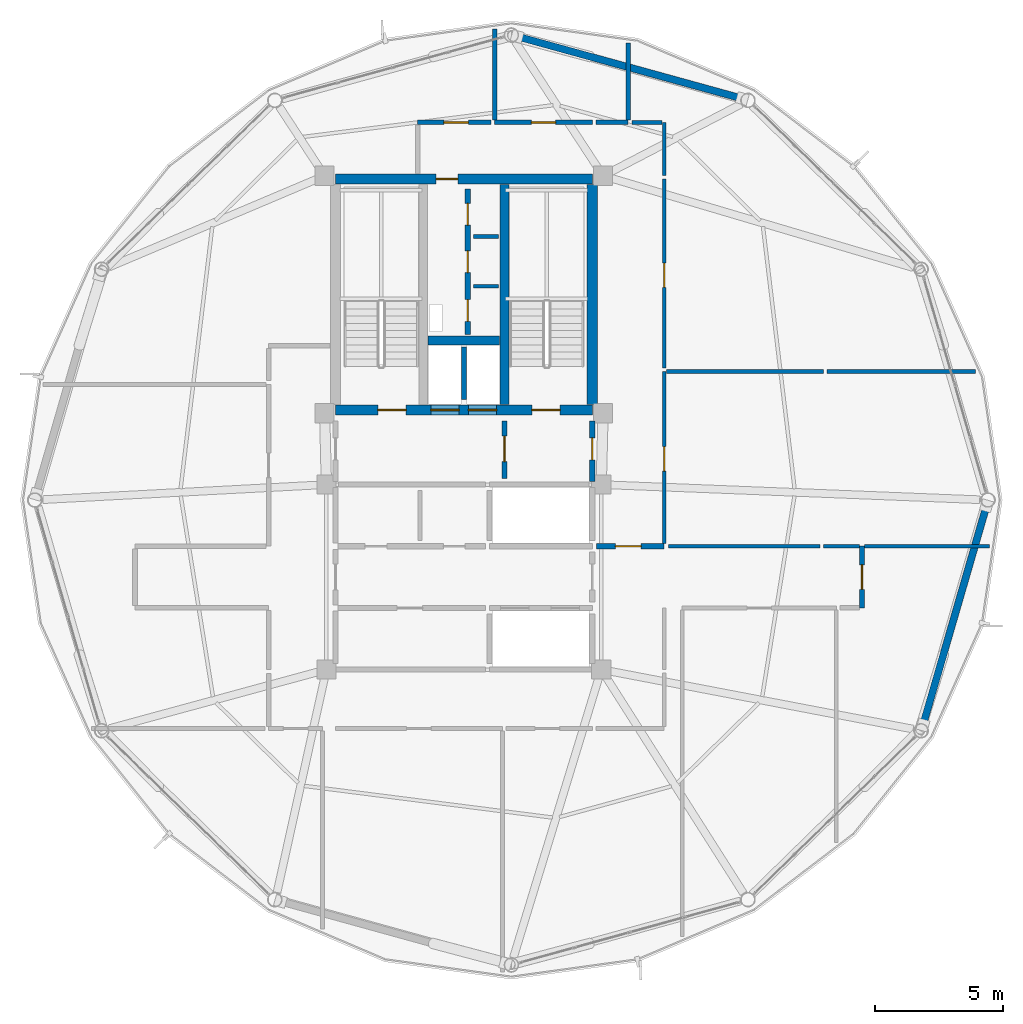
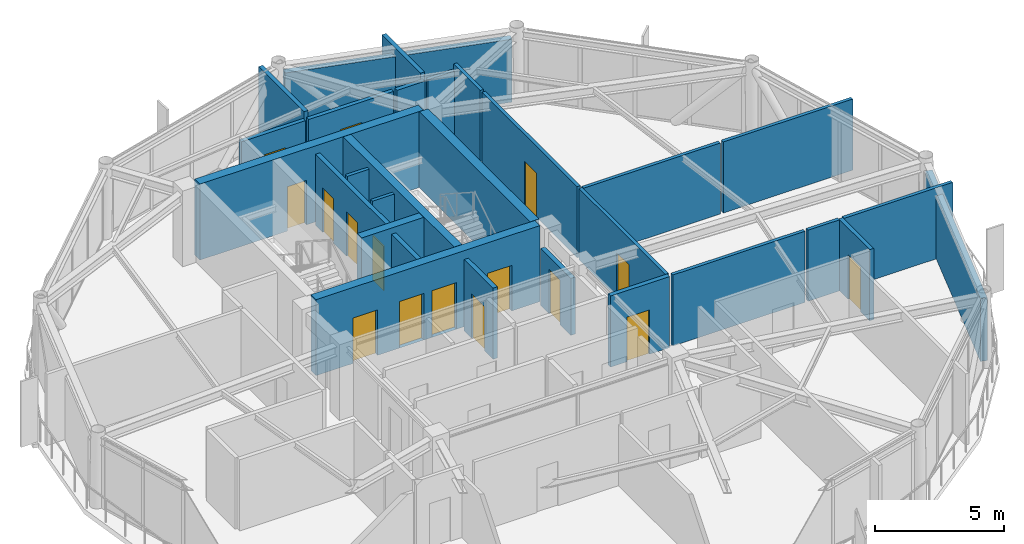
# One storey, part 23 of 27: 29 walls, 16 doors, 16 openings.
"""IFC4 building model written with IfcOpenShell, lengths in metres."""

from ifc_helpers import new_model, si_unit, direction, frame, frame_2d, origin, place, context, subcontext, project, spatial, rectangle, extrude, material, layer, layer_set, type_object, element, fill, save


model = new_model("IFC4")

# Units and contexts
model_context = context("Model", 3, precision=1e-05, world=origin(), true_north=direction((0.0, 1.0)))
body_context = subcontext(model_context, "Body", "Model", "MODEL_VIEW")
ifc_project = project(units=[si_unit("LENGTHUNIT", "METRE"), si_unit("AREAUNIT", "SQUARE_METRE"), si_unit("VOLUMEUNIT", "CUBIC_METRE"), si_unit("PLANEANGLEUNIT", "RADIAN"), si_unit("MASSUNIT", "GRAM", prefix="KILO")], contexts=[model_context])

# Site, building, storey
site_placement = place(None, origin())
site = spatial("IfcSite", under=ifc_project, at=site_placement, CompositionType="ELEMENT")
building_placement = place(site_placement, origin())
building = spatial("IfcBuilding", under=site, at=building_placement, Name="Varnakorn Sky Granary", CompositionType="ELEMENT")
storey_placement = place(building_placement, frame((0.0, 0.0, 245.39990234375)))
storey = spatial("IfcBuildingStorey", under=building, at=storey_placement, Name="L62", CompositionType="ELEMENT", Elevation=245.39990234375)

# Walls
ifc_material_1 = material(Name="Concrete C50/60", Category="concrete")
ifc_layer_1 = layer(ifc_material_1, 0.35009765625, Name="Concrete C50/60")
ifc_layer_set_1 = layer_set([ifc_layer_1], Name="Concrete C50/60")
wall_type_1 = type_object("IfcWallType", Name="WT-CW-INT-350", PredefinedType="SHEAR", material=ifc_layer_set_1)
wall_1_placement = place(storey_placement, frame((4.580078125, 3.7099609375, 0.0), z_axis=(0.0, 0.0, 1.0), x_axis=(0.0, 1.0, 0.0)))
element("IfcWall", 1, at=wall_1_placement, inside=storey, type_object=wall_type_1, Name="Stair ST-2 Core Wall L62", PredefinedType="SHEAR", context=body_context, shape_type="SweptSolid", body=[
    extrude(rectangle(XDim=8.580078125, YDim=0.35009765625, at=frame_2d((4.2900390625, 0.0))), origin(), (0.0, 0.0, 1.0), 3.592041015625),
])
wall_2_placement = place(storey_placement, frame((1.610107421875, 6.199951171875, 0.0), z_axis=(0.0, 0.0, 1.0), x_axis=(1.0, 0.0, 0.0)))
element("IfcWall", 2, at=wall_2_placement, inside=storey, type_object=wall_type_1, Name="Core Lift Shaft Cross Wall L62", PredefinedType="SHEAR", context=body_context, shape_type="SweptSolid", body=[
    extrude(rectangle(XDim=2.77978515625, YDim=0.35009765625, at=frame_2d((1.389892578125, 0.0))), origin(), (0.0, 0.0, 1.0), 3.592041015625),
])

# Wall, openings, doors
ifc_layer_2 = layer(ifc_material_1, 0.39990234375, Name="Concrete C50/60")
ifc_layer_set_2 = layer_set([ifc_layer_2], Name="Concrete C50/60")
wall_type_2 = type_object("IfcWallType", Name="WT-CW-SHEAR-400", PredefinedType="SHEAR", material=ifc_layer_set_2)
wall_3_placement = place(storey_placement, frame((-2.0, 3.5, 0.0), z_axis=(0.0, 0.0, 1.0), x_axis=(1.0, 0.0, 0.0)))
wall_3 = element("IfcWall", 3, at=wall_3_placement, inside=storey, type_object=wall_type_2, Name="Core South Shear Wall L62", PredefinedType="SHEAR", context=body_context, shape_type="SweptSolid", body=[
    extrude(rectangle(XDim=10.0, YDim=0.39990234375, at=frame_2d((5.0, 0.0))), origin(), (0.0, 0.0, 1.0), 3.592041015625),
])
opening_1_placement = place(wall_3_placement, frame((1.64990234375, 0.0, 0.0)))
opening_1 = element("IfcOpeningElement", 4, at=opening_1_placement, cuts=wall_3, Name="Opening FD-90", PredefinedType="OPENING", context=body_context, shape_type="SweptSolid", body=[
    extrude(rectangle(XDim=1.10009765625, YDim=2.14990234375, at=frame_2d((0.550048828125, 1.074951171875))), frame((0.0, 0.2099609375, 0.0), z_axis=(0.0, -1.0, 0.0), x_axis=(1.0, 0.0, 0.0)), (0.0, 0.0, 1.0), 0.419921875),
])
opening_2_placement = place(wall_3_placement, frame((7.64990234375, 0.0, 0.0)))
opening_2 = element("IfcOpeningElement", 5, at=opening_2_placement, cuts=wall_3, Name="Opening FD-90", PredefinedType="OPENING", context=body_context, shape_type="SweptSolid", body=[
    extrude(rectangle(XDim=1.10009765625, YDim=2.14990234375, at=frame_2d((0.550048828125, 1.074951171875))), frame((0.0, 0.2099609375, 0.0), z_axis=(0.0, -1.0, 0.0), x_axis=(1.0, 0.0, 0.0)), (0.0, 0.0, 1.0), 0.419921875),
])
opening_3_placement = place(wall_3_placement, frame((3.719970703125, 0.0, 0.0)))
opening_3 = element("IfcOpeningElement", 6, at=opening_3_placement, cuts=wall_3, Name="Opening LD-01", PredefinedType="OPENING", context=body_context, shape_type="SweptSolid", body=[
    extrude(rectangle(XDim=1.10009765625, YDim=2.199951171875, at=frame_2d((0.550048828125, 1.10009765625))), frame((0.0, 0.2099609375, 0.0), z_axis=(0.0, -1.0, 0.0), x_axis=(1.0, 0.0, 0.0)), (0.0, 0.0, 1.0), 0.419921875),
])
opening_4_placement = place(wall_3_placement, frame((5.179931640625, 0.0, 0.0)))
opening_4 = element("IfcOpeningElement", 7, at=opening_4_placement, cuts=wall_3, Name="Opening LD-01", PredefinedType="OPENING", context=body_context, shape_type="SweptSolid", body=[
    extrude(rectangle(XDim=1.10009765625, YDim=2.199951171875, at=frame_2d((0.550048828125, 1.10009765625))), frame((0.0, 0.2099609375, 0.0), z_axis=(0.0, -1.0, 0.0), x_axis=(1.0, 0.0, 0.0)), (0.0, 0.0, 1.0), 0.419921875),
])
ifc_material_2 = material(Name="Brushed Bronze Stainless Steel", Category="steel")
door_type_1 = type_object("IfcDoorType", Name="DR-LD-1100", OperationType="DOUBLE_DOOR_SLIDING", PredefinedType="DOOR", material=ifc_material_2)
door_1_placement = place(opening_3_placement, origin())
door_1 = element("IfcDoor", 8, at=door_1_placement, inside=storey, type_object=door_type_1, Name="Firefighting Lift FFL-1 Landing Door L62", OperationType="DOUBLE_DOOR_SLIDING", OverallHeight=2.199951171875, OverallWidth=1.10009765625, PredefinedType="DOOR", context=body_context, shape_type="SweptSolid", body=[
    extrude(rectangle(XDim=1.10009765625, YDim=2.199951171875, at=frame_2d((0.550048828125, 1.10009765625))), frame((0.0, 0.02490234375, 0.0), z_axis=(0.0, -1.0, 0.0), x_axis=(1.0, 0.0, 0.0)), (0.0, 0.0, 1.0), 0.050048828125),
])
fill(opening_3, door_1)
door_2_placement = place(opening_4_placement, origin())
door_2 = element("IfcDoor", 9, at=door_2_placement, inside=storey, type_object=door_type_1, Name="Firefighting Lift FFL-2 Landing Door L62", OperationType="DOUBLE_DOOR_SLIDING", OverallHeight=2.199951171875, OverallWidth=1.10009765625, PredefinedType="DOOR", context=body_context, shape_type="SweptSolid", body=[
    extrude(rectangle(XDim=1.10009765625, YDim=2.199951171875, at=frame_2d((0.550048828125, 1.10009765625))), frame((0.0, 0.02490234375, 0.0), z_axis=(0.0, -1.0, 0.0), x_axis=(1.0, 0.0, 0.0)), (0.0, 0.0, 1.0), 0.050048828125),
])
fill(opening_4, door_2)
ifc_material_3 = material(Name="Galvanised Painted Steel Leaf", Category="steel")
door_type_2 = type_object("IfcDoorType", Name="DR-STAIR-1100", OperationType="NOTDEFINED", PredefinedType="DOOR", material=ifc_material_3)
door_3_placement = place(opening_1_placement, origin())
door_3 = element("IfcDoor", 10, at=door_3_placement, inside=storey, type_object=door_type_2, Name="Stair ST-1 Protected Fire Door L62", OperationType="SINGLE_SWING_LEFT", OverallHeight=2.14990234375, OverallWidth=1.10009765625, PredefinedType="DOOR", context=body_context, shape_type="SweptSolid", body=[
    extrude(rectangle(XDim=1.10009765625, YDim=2.14990234375, at=frame_2d((0.550048828125, 1.074951171875))), frame((0.0, 0.02490234375, 0.0), z_axis=(0.0, -1.0, 0.0), x_axis=(1.0, 0.0, 0.0)), (0.0, 0.0, 1.0), 0.050048828125),
])
fill(opening_1, door_3)
door_4_placement = place(opening_2_placement, origin())
door_4 = element("IfcDoor", 11, at=door_4_placement, inside=storey, type_object=door_type_2, Name="Stair ST-2 Protected Fire Door L62", OperationType="SINGLE_SWING_RIGHT", OverallHeight=2.14990234375, OverallWidth=1.10009765625, PredefinedType="DOOR", context=body_context, shape_type="SweptSolid", body=[
    extrude(rectangle(XDim=1.10009765625, YDim=2.14990234375, at=frame_2d((0.550048828125, 1.074951171875))), frame((0.0, 0.02490234375, 0.0), z_axis=(0.0, -1.0, 0.0), x_axis=(1.0, 0.0, 0.0)), (0.0, 0.0, 1.0), 0.050048828125),
])
fill(opening_2, door_4)

# Wall, opening, door
wall_4_placement = place(storey_placement, frame((-2.0, 12.5, 0.0), z_axis=(0.0, 0.0, 1.0), x_axis=(1.0, 0.0, 0.0)))
wall_4 = element("IfcWall", 12, at=wall_4_placement, inside=storey, type_object=wall_type_2, Name="Core North Shear Wall L62", PredefinedType="SHEAR", context=body_context, shape_type="SweptSolid", body=[
    extrude(rectangle(XDim=10.0, YDim=0.39990234375, at=frame_2d((5.0, 0.0))), origin(), (0.0, 0.0, 1.0), 3.592041015625),
])
opening_5_placement = place(wall_4_placement, frame((3.919921875, 0.0, 0.0)))
opening_5 = element("IfcOpeningElement", 13, at=opening_5_placement, cuts=wall_4, Name="Opening FD-60N", PredefinedType="OPENING", context=body_context, shape_type="SweptSolid", body=[
    extrude(rectangle(XDim=0.85009765625, YDim=2.10009765625, at=frame_2d((0.425048828125, 1.050048828125))), frame((0.0, 0.2099609375, 0.0), z_axis=(0.0, -1.0, 0.0), x_axis=(1.0, 0.0, 0.0)), (0.0, 0.0, 1.0), 0.419921875),
])
ifc_material_4 = material(Name="Acoustic Timber Fire Leaf", Category="wood")
door_type_3 = type_object("IfcDoorType", Name="DR-FD60-850", OperationType="NOTDEFINED", PredefinedType="DOOR", material=ifc_material_4)
door_5_placement = place(opening_5_placement, origin())
door_5 = element("IfcDoor", 14, at=door_5_placement, inside=storey, type_object=door_type_3, Name="Core North Service Door L62", OperationType="SINGLE_SWING_RIGHT", OverallHeight=2.10009765625, OverallWidth=0.85009765625, PredefinedType="DOOR", context=body_context, shape_type="SweptSolid", body=[
    extrude(rectangle(XDim=0.85009765625, YDim=2.10009765625, at=frame_2d((0.425048828125, 1.050048828125))), frame((0.0, 0.02490234375, 0.0), z_axis=(0.0, -1.0, 0.0), x_axis=(1.0, 0.0, 0.0)), (0.0, 0.0, 1.0), 0.050048828125),
])
fill(opening_5, door_5)

# Walls
wall_5_placement = place(storey_placement, frame((8.0, 3.7099609375, 0.0), z_axis=(0.0, 0.0, 1.0), x_axis=(0.0, 1.0, 0.0)))
element("IfcWall", 15, at=wall_5_placement, inside=storey, type_object=wall_type_2, Name="Core East Shear Wall L62", PredefinedType="SHEAR", context=body_context, shape_type="SweptSolid", body=[
    extrude(rectangle(XDim=8.580078125, YDim=0.39990234375, at=frame_2d((4.2900390625, 0.0))), origin(), (0.0, 0.0, 1.0), 3.592041015625),
])
ifc_material_5 = material(Name="Precast concrete C40/50", Category="concrete")
ifc_layer_3 = layer(ifc_material_5, 0.280029296875, Name="Precast concrete C40/50")
ifc_layer_set_3 = layer_set([ifc_layer_3], Name="Precast concrete C40/50")
wall_type_3 = type_object("IfcWallType", Name="WT-EW-CRN-280", PredefinedType="SOLIDWALL", material=ifc_layer_set_3)
wall_6_placement = place(storey_placement, frame((5.076171875, 18.043701171875, 0.0), z_axis=(0.0, 0.0, 1.0), x_axis=(0.963966020106, -0.266025397435, 0.0)))
element("IfcWall", 16, at=wall_6_placement, inside=storey, type_object=wall_type_3, Name="Agritech Insulated Precast Facade Wall L62-P03", PredefinedType="SOLIDWALL", context=body_context, shape_type="SweptSolid", body=[
    extrude(rectangle(XDim=9.08935546875, YDim=0.280029296875, at=frame_2d((4.544677734375, 0.0))), origin(), (0.0, 0.0, 1.0), 2.97021484375),
])
wall_7_placement = place(storey_placement, frame((23.34765625, -0.22509765625, 0.0), z_axis=(0.0, 0.0, 1.0), x_axis=(-0.278311564929, -0.960490849944, 0.0)))
element("IfcWall", 17, at=wall_7_placement, inside=storey, type_object=wall_type_3, Name="Agritech Insulated Precast Facade Wall L62-P12", PredefinedType="SOLIDWALL", context=body_context, shape_type="SweptSolid", body=[
    extrude(rectangle(XDim=8.88623046875, YDim=0.280029296875, at=frame_2d((4.443115234375, 0.0))), origin(), (0.0, 0.0, 1.0), 2.97021484375),
])

# Wall, openings, doors
ifc_material_6 = material(Name="Autoclaved Aerated Concrete Blockwork", Category="masonry")
ifc_layer_4 = layer(ifc_material_6, 0.199951171875, Name="Autoclaved Aerated Concrete Blockwork")
ifc_layer_set_4 = layer_set([ifc_layer_4], Name="Autoclaved Aerated Concrete Blockwork")
wall_type_4 = type_object("IfcWallType", Name="WT-FIRE-200", PredefinedType="MOVABLE", material=ifc_layer_set_4)
wall_8_placement = place(storey_placement, frame((3.14990234375, 6.449951171875, 0.0), z_axis=(0.0, 0.0, 1.0), x_axis=(0.0, 1.0, 0.0)))
wall_8 = element("IfcWall", 18, at=wall_8_placement, inside=storey, type_object=wall_type_4, Name="Interior Partition Wall L62-010", PredefinedType="MOVABLE", context=body_context, shape_type="SweptSolid", body=[
    extrude(rectangle(XDim=5.650146484375, YDim=0.199951171875, at=frame_2d((2.8251953125, 0.0))), origin(), (0.0, 0.0, 1.0), 3.360107421875),
])
opening_6_placement = place(wall_8_placement, frame((0.5, 0.0, 0.0)))
opening_6 = element("IfcOpeningElement", 19, at=opening_6_placement, cuts=wall_8, Name="Opening FD-60N", PredefinedType="OPENING", context=body_context, shape_type="SweptSolid", body=[
    extrude(rectangle(XDim=0.85009765625, YDim=2.10009765625, at=frame_2d((0.425048828125, 1.050048828125))), frame((0.0, 0.10986328125, 0.0), z_axis=(0.0, -1.0, 0.0), x_axis=(1.0, 0.0, 0.0)), (0.0, 0.0, 1.0), 0.219970703125),
])
opening_7_placement = place(wall_8_placement, frame((2.39990234375, 0.0, 0.0)))
opening_7 = element("IfcOpeningElement", 20, at=opening_7_placement, cuts=wall_8, Name="Opening FD-60N", PredefinedType="OPENING", context=body_context, shape_type="SweptSolid", body=[
    extrude(rectangle(XDim=0.85009765625, YDim=2.10009765625, at=frame_2d((0.425048828125, 1.050048828125))), frame((0.0, 0.10986328125, 0.0), z_axis=(0.0, -1.0, 0.0), x_axis=(1.0, 0.0, 0.0)), (0.0, 0.0, 1.0), 0.219970703125),
])
opening_8_placement = place(wall_8_placement, frame((4.25, 0.0, 0.0)))
opening_8 = element("IfcOpeningElement", 21, at=opening_8_placement, cuts=wall_8, Name="Opening FD-60N", PredefinedType="OPENING", context=body_context, shape_type="SweptSolid", body=[
    extrude(rectangle(XDim=0.85009765625, YDim=2.10009765625, at=frame_2d((0.425048828125, 1.050048828125))), frame((0.0, 0.10986328125, 0.0), z_axis=(0.0, -1.0, 0.0), x_axis=(1.0, 0.0, 0.0)), (0.0, 0.0, 1.0), 0.219970703125),
])
door_6_placement = place(opening_6_placement, origin())
door_6 = element("IfcDoor", 22, at=door_6_placement, inside=storey, type_object=door_type_3, Name="Interior Door L62-010-1", OperationType="SINGLE_SWING_RIGHT", OverallHeight=2.10009765625, OverallWidth=0.85009765625, PredefinedType="DOOR", context=body_context, shape_type="SweptSolid", body=[
    extrude(rectangle(XDim=0.85009765625, YDim=2.10009765625, at=frame_2d((0.425048828125, 1.050048828125))), frame((0.0, 0.02490234375, 0.0), z_axis=(0.0, -1.0, 0.0), x_axis=(1.0, 0.0, 0.0)), (0.0, 0.0, 1.0), 0.050048828125),
])
fill(opening_6, door_6)
door_7_placement = place(opening_7_placement, origin())
door_7 = element("IfcDoor", 23, at=door_7_placement, inside=storey, type_object=door_type_3, Name="Interior Door L62-010-2", OperationType="SINGLE_SWING_LEFT", OverallHeight=2.10009765625, OverallWidth=0.85009765625, PredefinedType="DOOR", context=body_context, shape_type="SweptSolid", body=[
    extrude(rectangle(XDim=0.85009765625, YDim=2.10009765625, at=frame_2d((0.425048828125, 1.050048828125))), frame((0.0, 0.02490234375, 0.0), z_axis=(0.0, -1.0, 0.0), x_axis=(1.0, 0.0, 0.0)), (0.0, 0.0, 1.0), 0.050048828125),
])
fill(opening_7, door_7)
door_8_placement = place(opening_8_placement, origin())
door_8 = element("IfcDoor", 24, at=door_8_placement, inside=storey, type_object=door_type_3, Name="Interior Door L62-010-3", OperationType="SINGLE_SWING_RIGHT", OverallHeight=2.10009765625, OverallWidth=0.85009765625, PredefinedType="DOOR", context=body_context, shape_type="SweptSolid", body=[
    extrude(rectangle(XDim=0.85009765625, YDim=2.10009765625, at=frame_2d((0.425048828125, 1.050048828125))), frame((0.0, 0.02490234375, 0.0), z_axis=(0.0, -1.0, 0.0), x_axis=(1.0, 0.0, 0.0)), (0.0, 0.0, 1.0), 0.050048828125),
])
fill(opening_8, door_8)

# Wall, opening, door
wall_9_placement = place(storey_placement, frame((4.580078125, 0.830078125, 0.0), z_axis=(0.0, 0.0, 1.0), x_axis=(0.0, 1.0, 0.0)))
wall_9 = element("IfcWall", 25, at=wall_9_placement, inside=storey, type_object=wall_type_4, Name="Interior Partition Wall L62-011", PredefinedType="MOVABLE", context=body_context, shape_type="SweptSolid", body=[
    extrude(rectangle(XDim=2.239990234375, YDim=0.199951171875, at=frame_2d((1.1201171875, 0.0))), origin(), (0.0, 0.0, 1.0), 3.360107421875),
])
opening_9_placement = place(wall_9_placement, frame((0.659912109375, 0.0, 0.0)))
opening_9 = element("IfcOpeningElement", 26, at=opening_9_placement, cuts=wall_9, Name="Opening FD-60", PredefinedType="OPENING", context=body_context, shape_type="SweptSolid", body=[
    extrude(rectangle(XDim=1.0, YDim=2.10009765625, at=frame_2d((0.5, 1.050048828125))), frame((0.0, 0.10986328125, 0.0), z_axis=(0.0, -1.0, 0.0), x_axis=(1.0, 0.0, 0.0)), (0.0, 0.0, 1.0), 0.219970703125),
])
door_type_4 = type_object("IfcDoorType", Name="DR-FD60-1000", OperationType="NOTDEFINED", PredefinedType="DOOR", material=ifc_material_4)
door_9_placement = place(opening_9_placement, origin())
door_9 = element("IfcDoor", 27, at=door_9_placement, inside=storey, type_object=door_type_4, Name="Interior Door L62-011-1", OperationType="SINGLE_SWING_LEFT", OverallHeight=2.10009765625, OverallWidth=1.0, PredefinedType="DOOR", context=body_context, shape_type="SweptSolid", body=[
    extrude(rectangle(XDim=1.0, YDim=2.10009765625, at=frame_2d((0.5, 1.050048828125))), frame((0.0, 0.02490234375, 0.0), z_axis=(0.0, -1.0, 0.0), x_axis=(1.0, 0.0, 0.0)), (0.0, 0.0, 1.0), 0.050048828125),
])
fill(opening_9, door_9)

wall_10_placement = place(storey_placement, frame((8.0, 0.719970703125, 0.0), z_axis=(0.0, 0.0, 1.0), x_axis=(0.0, 1.0, 0.0)))
wall_10 = element("IfcWall", 28, at=wall_10_placement, inside=storey, type_object=wall_type_4, Name="Interior Partition Wall L62-013", PredefinedType="MOVABLE", context=body_context, shape_type="SweptSolid", body=[
    extrude(rectangle(XDim=2.35009765625, YDim=0.199951171875, at=frame_2d((1.175048828125, 0.0))), origin(), (0.0, 0.0, 1.0), 2.692138671875),
])
opening_10_placement = place(wall_10_placement, frame((0.844970703125, 0.0, 0.0)))
opening_10 = element("IfcOpeningElement", 29, at=opening_10_placement, cuts=wall_10, Name="Opening FD-60N", PredefinedType="OPENING", context=body_context, shape_type="SweptSolid", body=[
    extrude(rectangle(XDim=0.85009765625, YDim=2.10009765625, at=frame_2d((0.425048828125, 1.050048828125))), frame((0.0, 0.10986328125, 0.0), z_axis=(0.0, -1.0, 0.0), x_axis=(1.0, 0.0, 0.0)), (0.0, 0.0, 1.0), 0.219970703125),
])
door_10_placement = place(opening_10_placement, origin())
door_10 = element("IfcDoor", 30, at=door_10_placement, inside=storey, type_object=door_type_3, Name="Interior Door L62-013-1", OperationType="SINGLE_SWING_LEFT", OverallHeight=2.10009765625, OverallWidth=0.85009765625, PredefinedType="DOOR", context=body_context, shape_type="SweptSolid", body=[
    extrude(rectangle(XDim=0.85009765625, YDim=2.10009765625, at=frame_2d((0.425048828125, 1.050048828125))), frame((0.0, 0.02490234375, 0.0), z_axis=(0.0, -1.0, 0.0), x_axis=(1.0, 0.0, 0.0)), (0.0, 0.0, 1.0), 0.050048828125),
])
fill(opening_10, door_10)

wall_11_placement = place(storey_placement, frame((8.159912109375, -1.800048828125, 0.0), z_axis=(0.0, 0.0, 1.0), x_axis=(1.0, 0.0, 0.0)))
wall_11 = element("IfcWall", 31, at=wall_11_placement, inside=storey, type_object=wall_type_4, Name="Interior Partition Wall L62-018", PredefinedType="MOVABLE", context=body_context, shape_type="SweptSolid", body=[
    extrude(rectangle(XDim=2.64013671875, YDim=0.199951171875, at=frame_2d((1.320068359375, 0.0))), origin(), (0.0, 0.0, 1.0), 3.360107421875),
])
opening_11_placement = place(wall_11_placement, frame((0.739990234375, 0.0, 0.0)))
opening_11 = element("IfcOpeningElement", 32, at=opening_11_placement, cuts=wall_11, Name="Opening FD-60", PredefinedType="OPENING", context=body_context, shape_type="SweptSolid", body=[
    extrude(rectangle(XDim=1.0, YDim=2.10009765625, at=frame_2d((0.5, 1.050048828125))), frame((0.0, 0.10986328125, 0.0), z_axis=(0.0, -1.0, 0.0), x_axis=(1.0, 0.0, 0.0)), (0.0, 0.0, 1.0), 0.219970703125),
])
door_11_placement = place(opening_11_placement, origin())
door_11 = element("IfcDoor", 33, at=door_11_placement, inside=storey, type_object=door_type_4, Name="Interior Door L62-018-1", OperationType="SINGLE_SWING_LEFT", OverallHeight=2.10009765625, OverallWidth=1.0, PredefinedType="DOOR", context=body_context, shape_type="SweptSolid", body=[
    extrude(rectangle(XDim=1.0, YDim=2.10009765625, at=frame_2d((0.5, 1.050048828125))), frame((0.0, 0.02490234375, 0.0), z_axis=(0.0, -1.0, 0.0), x_axis=(1.0, 0.0, 0.0)), (0.0, 0.0, 1.0), 0.050048828125),
])
fill(opening_11, door_11)

ifc_material_7 = material(Name="Gypsum Plasterboard on Steel Stud", Category="steel")
ifc_layer_5 = layer(ifc_material_7, 0.14990234375, Name="Gypsum Plasterboard on Steel Stud")
ifc_layer_set_5 = layer_set([ifc_layer_5], Name="Gypsum Plasterboard on Steel Stud")
wall_type_5 = type_object("IfcWallType", Name="WT-PART-150", PredefinedType="PARTITIONING", material=ifc_layer_set_5)
wall_12_placement = place(storey_placement, frame((10.800048828125, -1.68994140625, 0.0), z_axis=(0.0, 0.0, 1.0), x_axis=(0.0, 1.0, 0.0)))
wall_12 = element("IfcWall", 34, at=wall_12_placement, inside=storey, type_object=wall_type_5, Name="Interior Partition Wall L62-027", PredefinedType="PARTITIONING", context=body_context, shape_type="SweptSolid", body=[
    extrude(rectangle(XDim=6.68994140625, YDim=0.14990234375, at=frame_2d((3.344970703125, 0.0))), origin(), (0.0, 0.0, 1.0), 3.360107421875),
])
opening_12_placement = place(wall_12_placement, frame((2.81494140625, 0.0, 0.0)))
opening_12 = element("IfcOpeningElement", 35, at=opening_12_placement, cuts=wall_12, Name="Opening ID-95", PredefinedType="OPENING", context=body_context, shape_type="SweptSolid", body=[
    extrude(rectangle(XDim=0.949951171875, YDim=2.10009765625, at=frame_2d((0.47509765625, 1.050048828125))), frame((0.0, 0.0849609375, 0.0), z_axis=(0.0, -1.0, 0.0), x_axis=(1.0, 0.0, 0.0)), (0.0, 0.0, 1.0), 0.169921875),
])
ifc_material_8 = material(Name="Solid-Core Teak Veneer Leaf", Category="timber")
door_type_5 = type_object("IfcDoorType", Name="DR-INT-950", OperationType="NOTDEFINED", PredefinedType="DOOR", material=ifc_material_8)
door_12_placement = place(opening_12_placement, origin())
door_12 = element("IfcDoor", 36, at=door_12_placement, inside=storey, type_object=door_type_5, Name="Interior Door L62-027-1", OperationType="SINGLE_SWING_RIGHT", OverallHeight=2.10009765625, OverallWidth=0.949951171875, PredefinedType="DOOR", context=body_context, shape_type="SweptSolid", body=[
    extrude(rectangle(XDim=0.949951171875, YDim=2.10009765625, at=frame_2d((0.47509765625, 1.050048828125))), frame((0.0, 0.02490234375, 0.0), z_axis=(0.0, -1.0, 0.0), x_axis=(1.0, 0.0, 0.0)), (0.0, 0.0, 1.0), 0.050048828125),
])
fill(opening_12, door_12)

wall_13_placement = place(storey_placement, frame((10.800048828125, 5.135009765625, 0.0), z_axis=(0.0, 0.0, 1.0), x_axis=(0.0, 1.0, 0.0)))
wall_13 = element("IfcWall", 37, at=wall_13_placement, inside=storey, type_object=wall_type_5, Name="Interior Partition Wall L62-028", PredefinedType="PARTITIONING", context=body_context, shape_type="SweptSolid", body=[
    extrude(rectangle(XDim=7.364990234375, YDim=0.14990234375, at=frame_2d((3.6826171875, 0.0))), origin(), (0.0, 0.0, 1.0), 3.360107421875),
])
opening_13_placement = place(wall_13_placement, frame((3.139892578125, 0.0, 0.0)))
opening_13 = element("IfcOpeningElement", 38, at=opening_13_placement, cuts=wall_13, Name="Opening ID-95", PredefinedType="OPENING", context=body_context, shape_type="SweptSolid", body=[
    extrude(rectangle(XDim=0.949951171875, YDim=2.10009765625, at=frame_2d((0.47509765625, 1.050048828125))), frame((0.0, 0.0849609375, 0.0), z_axis=(0.0, -1.0, 0.0), x_axis=(1.0, 0.0, 0.0)), (0.0, 0.0, 1.0), 0.169921875),
])
door_13_placement = place(opening_13_placement, origin())
door_13 = element("IfcDoor", 39, at=door_13_placement, inside=storey, type_object=door_type_5, Name="Interior Door L62-028-1", OperationType="SINGLE_SWING_LEFT", OverallHeight=2.10009765625, OverallWidth=0.949951171875, PredefinedType="DOOR", context=body_context, shape_type="SweptSolid", body=[
    extrude(rectangle(XDim=0.949951171875, YDim=2.10009765625, at=frame_2d((0.47509765625, 1.050048828125))), frame((0.0, 0.02490234375, 0.0), z_axis=(0.0, -1.0, 0.0), x_axis=(1.0, 0.0, 0.0)), (0.0, 0.0, 1.0), 0.050048828125),
])
fill(opening_13, door_13)

# Walls
for number, where, z_axis, x_axis, name in (
    (40, (3.3701171875, 8.320068359375, 0.0), (0.0, 0.0, 1.0), (1.0, 0.0, 0.0), "Interior Partition Wall L62-029"),
    (41, (3.3701171875, 10.260009765625, 0.0), (0.0, 0.0, 1.0), (1.0, 0.0, 0.0), "Interior Partition Wall L62-030"),
):
    element("IfcWall", number, at=place(storey_placement, frame(where, z_axis=z_axis, x_axis=x_axis)), inside=storey, type_object=wall_type_5, Name=name, PredefinedType="PARTITIONING", context=body_context, shape_type="SweptSolid", body=[
        extrude(rectangle(XDim=0.97998046875, YDim=0.14990234375, at=frame_2d((0.489990234375, 0.0))), origin(), (0.0, 0.0, 1.0), 3.360107421875),
    ])
wall_14_placement = place(storey_placement, frame((18.60009765625, -1.800048828125, 0.0), z_axis=(0.0, 0.0, 1.0), x_axis=(1.0, 0.0, 0.0)))
element("IfcWall", 42, at=wall_14_placement, inside=storey, type_object=wall_type_5, Name="Interior Partition Wall L62-046", PredefinedType="PARTITIONING", context=body_context, shape_type="SweptSolid", body=[
    extrude(rectangle(XDim=4.86279296875, YDim=0.14990234375, at=frame_2d((2.431396484375, 0.0))), origin(), (0.0, 0.0, 1.0), 3.360107421875),
])
wall_15_placement = place(storey_placement, frame((18.39990234375, -1.800048828125, 0.0), z_axis=(0.0, 0.0, 1.0), x_axis=(-1.0, 0.0, 0.0)))
element("IfcWall", 43, at=wall_15_placement, inside=storey, type_object=wall_type_5, Name="Interior Partition Wall L62-057", PredefinedType="PARTITIONING", context=body_context, shape_type="SweptSolid", body=[
    extrude(rectangle(XDim=1.39990234375, YDim=0.14990234375, at=frame_2d((0.699951171875, 0.0))), origin(), (0.0, 0.0, 1.0), 3.360107421875),
])
wall_16_placement = place(storey_placement, frame((16.864990234375, -1.800048828125, 0.0), z_axis=(0.0, 0.0, 1.0), x_axis=(-1.0, 0.0, 0.0)))
element("IfcWall", 44, at=wall_16_placement, inside=storey, type_object=wall_type_5, Name="Interior Partition Wall L62-058", PredefinedType="PARTITIONING", context=body_context, shape_type="SweptSolid", body=[
    extrude(rectangle(XDim=5.905029296875, YDim=0.14990234375, at=frame_2d((2.95263671875, 0.0))), origin(), (0.0, 0.0, 1.0), 3.360107421875),
])
wall_17_placement = place(storey_placement, frame((10.885009765625, 5.0, 0.0), z_axis=(0.0, 0.0, 1.0), x_axis=(1.0, 0.0, 0.0)))
element("IfcWall", 45, at=wall_17_placement, inside=storey, type_object=wall_type_5, Name="Interior Partition Wall L62-059", PredefinedType="PARTITIONING", context=body_context, shape_type="SweptSolid", body=[
    extrude(rectangle(XDim=6.114990234375, YDim=0.14990234375, at=frame_2d((3.0576171875, 0.0))), origin(), (0.0, 0.0, 1.0), 3.360107421875),
])
wall_18_placement = place(storey_placement, frame((17.135009765625, 5.0, 0.0), z_axis=(0.0, 0.0, 1.0), x_axis=(1.0, 0.0, 0.0)))
element("IfcWall", 46, at=wall_18_placement, inside=storey, type_object=wall_type_5, Name="Interior Partition Wall L62-060", PredefinedType="PARTITIONING", context=body_context, shape_type="SweptSolid", body=[
    extrude(rectangle(XDim=5.7919921875, YDim=0.14990234375, at=frame_2d((2.89599609375, 0.0))), origin(), (0.0, 0.0, 1.0), 3.360107421875),
])
wall_19_placement = place(storey_placement, frame((10.800048828125, 12.635009765625, 0.0), z_axis=(0.0, 0.0, 1.0), x_axis=(0.0, 1.0, 0.0)))
element("IfcWall", 47, at=wall_19_placement, inside=storey, type_object=wall_type_5, Name="Interior Partition Wall L62-061", PredefinedType="PARTITIONING", context=body_context, shape_type="SweptSolid", body=[
    extrude(rectangle(XDim=2.06494140625, YDim=0.14990234375, at=frame_2d((1.032470703125, 0.0))), origin(), (0.0, 0.0, 1.0), 3.360107421875),
])
wall_20_placement = place(storey_placement, frame((10.715087890625, 14.699951171875, 0.0), z_axis=(0.0, 0.0, 1.0), x_axis=(-1.0, 0.0, 0.0)))
element("IfcWall", 48, at=wall_20_placement, inside=storey, type_object=wall_type_5, Name="Interior Partition Wall L62-062", PredefinedType="PARTITIONING", context=body_context, shape_type="SweptSolid", body=[
    extrude(rectangle(XDim=1.1650390625, YDim=0.14990234375, at=frame_2d((0.58251953125, 0.0))), origin(), (0.0, 0.0, 1.0), 3.072021484375),
])

# Wall, opening, door
ifc_material_9 = material(Name="Moisture-Resistant Gypsum on Stud", Category="gypsum")
ifc_layer_6 = layer(ifc_material_9, 0.179931640625, Name="Moisture-Resistant Gypsum on Stud")
ifc_layer_set_6 = layer_set([ifc_layer_6], Name="Moisture-Resistant Gypsum on Stud")
wall_type_6 = type_object("IfcWallType", Name="WT-PLUMB-180", PredefinedType="PLUMBINGWALL", material=ifc_layer_set_6)
wall_21_placement = place(storey_placement, frame((8.0, 14.699951171875, 0.0), z_axis=(0.0, 0.0, 1.0), x_axis=(-1.0, 0.0, 0.0)))
wall_21 = element("IfcWall", 49, at=wall_21_placement, inside=storey, type_object=wall_type_6, Name="Interior Partition Wall L62-019", PredefinedType="PLUMBINGWALL", context=body_context, shape_type="SweptSolid", body=[
    extrude(rectangle(XDim=3.800048828125, YDim=0.179931640625, at=frame_2d((1.89990234375, 0.0))), origin(), (0.0, 0.0, 1.0), 3.072021484375),
])
opening_14_placement = place(wall_21_placement, frame((1.425048828125, 0.0, 0.0)))
opening_14 = element("IfcOpeningElement", 50, at=opening_14_placement, cuts=wall_21, Name="Opening ID-95", PredefinedType="OPENING", context=body_context, shape_type="SweptSolid", body=[
    extrude(rectangle(XDim=0.949951171875, YDim=2.10009765625, at=frame_2d((0.47509765625, 1.050048828125))), frame((0.0, 0.10009765625, 0.0), z_axis=(0.0, -1.0, 0.0), x_axis=(1.0, 0.0, 0.0)), (0.0, 0.0, 1.0), 0.199951171875),
])
door_14_placement = place(opening_14_placement, origin())
door_14 = element("IfcDoor", 51, at=door_14_placement, inside=storey, type_object=door_type_5, Name="Interior Door L62-019-1", OperationType="SINGLE_SWING_RIGHT", OverallHeight=2.10009765625, OverallWidth=0.949951171875, PredefinedType="DOOR", context=body_context, shape_type="SweptSolid", body=[
    extrude(rectangle(XDim=0.949951171875, YDim=2.10009765625, at=frame_2d((0.47509765625, 1.050048828125))), frame((0.0, 0.02490234375, 0.0), z_axis=(0.0, -1.0, 0.0), x_axis=(1.0, 0.0, 0.0)), (0.0, 0.0, 1.0), 0.050048828125),
])
fill(opening_14, door_14)

wall_22_placement = place(storey_placement, frame((18.5, -4.199951171875, 0.0), z_axis=(0.0, 0.0, 1.0), x_axis=(0.0, 1.0, 0.0)))
wall_22 = element("IfcWall", 52, at=wall_22_placement, inside=storey, type_object=wall_type_6, Name="Interior Partition Wall L62-024", PredefinedType="PLUMBINGWALL", context=body_context, shape_type="SweptSolid", body=[
    extrude(rectangle(XDim=2.39990234375, YDim=0.179931640625, at=frame_2d((1.199951171875, 0.0))), origin(), (0.0, 0.0, 1.0), 3.360107421875),
])
opening_15_placement = place(wall_22_placement, frame((0.72509765625, 0.0, 0.0)))
opening_15 = element("IfcOpeningElement", 53, at=opening_15_placement, cuts=wall_22, Name="Opening ID-95", PredefinedType="OPENING", context=body_context, shape_type="SweptSolid", body=[
    extrude(rectangle(XDim=0.949951171875, YDim=2.10009765625, at=frame_2d((0.47509765625, 1.050048828125))), frame((0.0, 0.10009765625, 0.0), z_axis=(0.0, -1.0, 0.0), x_axis=(1.0, 0.0, 0.0)), (0.0, 0.0, 1.0), 0.199951171875),
])
door_15_placement = place(opening_15_placement, origin())
door_15 = element("IfcDoor", 54, at=door_15_placement, inside=storey, type_object=door_type_5, Name="Interior Door L62-024-1", OperationType="SINGLE_SWING_LEFT", OverallHeight=2.10009765625, OverallWidth=0.949951171875, PredefinedType="DOOR", context=body_context, shape_type="SweptSolid", body=[
    extrude(rectangle(XDim=0.949951171875, YDim=2.10009765625, at=frame_2d((0.47509765625, 1.050048828125))), frame((0.0, 0.02490234375, 0.0), z_axis=(0.0, -1.0, 0.0), x_axis=(1.0, 0.0, 0.0)), (0.0, 0.0, 1.0), 0.050048828125),
])
fill(opening_15, door_15)

wall_23_placement = place(storey_placement, frame((4.050048828125, 14.699951171875, 0.0), z_axis=(0.0, 0.0, 1.0), x_axis=(-1.0, 0.0, 0.0)))
wall_23 = element("IfcWall", 55, at=wall_23_placement, inside=storey, type_object=wall_type_6, Name="Interior Partition Wall L62-026", PredefinedType="PLUMBINGWALL", context=body_context, shape_type="SweptSolid", body=[
    extrude(rectangle(XDim=2.85009765625, YDim=0.179931640625, at=frame_2d((1.425048828125, 0.0))), origin(), (0.0, 0.0, 1.0), 3.072021484375),
])
opening_16_placement = place(wall_23_placement, frame((0.875, 0.0, 0.0)))
opening_16 = element("IfcOpeningElement", 56, at=opening_16_placement, cuts=wall_23, Name="Opening ID-95", PredefinedType="OPENING", context=body_context, shape_type="SweptSolid", body=[
    extrude(rectangle(XDim=0.949951171875, YDim=2.10009765625, at=frame_2d((0.47509765625, 1.050048828125))), frame((0.0, 0.10009765625, 0.0), z_axis=(0.0, -1.0, 0.0), x_axis=(1.0, 0.0, 0.0)), (0.0, 0.0, 1.0), 0.199951171875),
])
door_16_placement = place(opening_16_placement, origin())
door_16 = element("IfcDoor", 57, at=door_16_placement, inside=storey, type_object=door_type_5, Name="Interior Door L62-026-1", OperationType="SINGLE_SWING_LEFT", OverallHeight=2.10009765625, OverallWidth=0.949951171875, PredefinedType="DOOR", context=body_context, shape_type="SweptSolid", body=[
    extrude(rectangle(XDim=0.949951171875, YDim=2.10009765625, at=frame_2d((0.47509765625, 1.050048828125))), frame((0.0, 0.02490234375, 0.0), z_axis=(0.0, -1.0, 0.0), x_axis=(1.0, 0.0, 0.0)), (0.0, 0.0, 1.0), 0.050048828125),
])
fill(opening_16, door_16)

# Walls
wall_24_placement = place(storey_placement, frame((9.39990234375, 14.699951171875, 0.0), z_axis=(0.0, 0.0, 1.0), x_axis=(-1.0, 0.0, 0.0)))
element("IfcWall", 58, at=wall_24_placement, inside=storey, type_object=wall_type_6, Name="Interior Partition Wall L62-036", PredefinedType="PLUMBINGWALL", context=body_context, shape_type="SweptSolid", body=[
    extrude(rectangle(XDim=1.25, YDim=0.179931640625, at=frame_2d((0.625, 0.0))), origin(), (0.0, 0.0, 1.0), 3.072021484375),
])
wall_25_placement = place(storey_placement, frame((4.199951171875, 18.325927734375, 0.0), z_axis=(0.0, 0.0, 1.0), x_axis=(0.0, -1.0, 0.0)))
element("IfcWall", 59, at=wall_25_placement, inside=storey, type_object=wall_type_6, Name="Interior Partition Wall L62-056", PredefinedType="PLUMBINGWALL", context=body_context, shape_type="SweptSolid", body=[
    extrude(rectangle(XDim=3.52587890625, YDim=0.179931640625, at=frame_2d((1.762939453125, 0.0))), origin(), (0.0, 0.0, 1.0), 3.360107421875),
])
wall_26_placement = place(storey_placement, frame((9.39990234375, 14.800048828125, 0.0), z_axis=(0.0, 0.0, 1.0), x_axis=(0.0, 1.0, 0.0)))
element("IfcWall", 60, at=wall_26_placement, inside=storey, type_object=wall_type_6, Name="Interior Partition Wall L62-063", PredefinedType="PLUMBINGWALL", context=body_context, shape_type="SweptSolid", body=[
    extrude(rectangle(XDim=2.989013671875, YDim=0.179931640625, at=frame_2d((1.49462890625, 0.0))), origin(), (0.0, 0.0, 1.0), 3.360107421875),
])
ifc_layer_7 = layer(ifc_material_6, 0.199951171875, Name="Autoclaved Aerated Concrete Blockwork")
ifc_layer_set_7 = layer_set([ifc_layer_7], Name="Autoclaved Aerated Concrete Blockwork")
wall_type_7 = type_object("IfcWallType", Name="WT-SHAFT-200", PredefinedType="SOLIDWALL", material=ifc_layer_set_7)
wall_27_placement = place(storey_placement, frame((3.0, 3.919921875, 0.0), z_axis=(0.0, 0.0, 1.0), x_axis=(0.0, 1.0, 0.0)))
element("IfcWall", 61, at=wall_27_placement, inside=storey, type_object=wall_type_7, Name="Interior Partition Wall L62-001", PredefinedType="SOLIDWALL", context=body_context, shape_type="SweptSolid", body=[
    extrude(rectangle(XDim=2.030029296875, YDim=0.199951171875, at=frame_2d((1.01513671875, 0.0))), origin(), (0.0, 0.0, 1.0), 3.360107421875),
])

save(model, "model.ifc")
